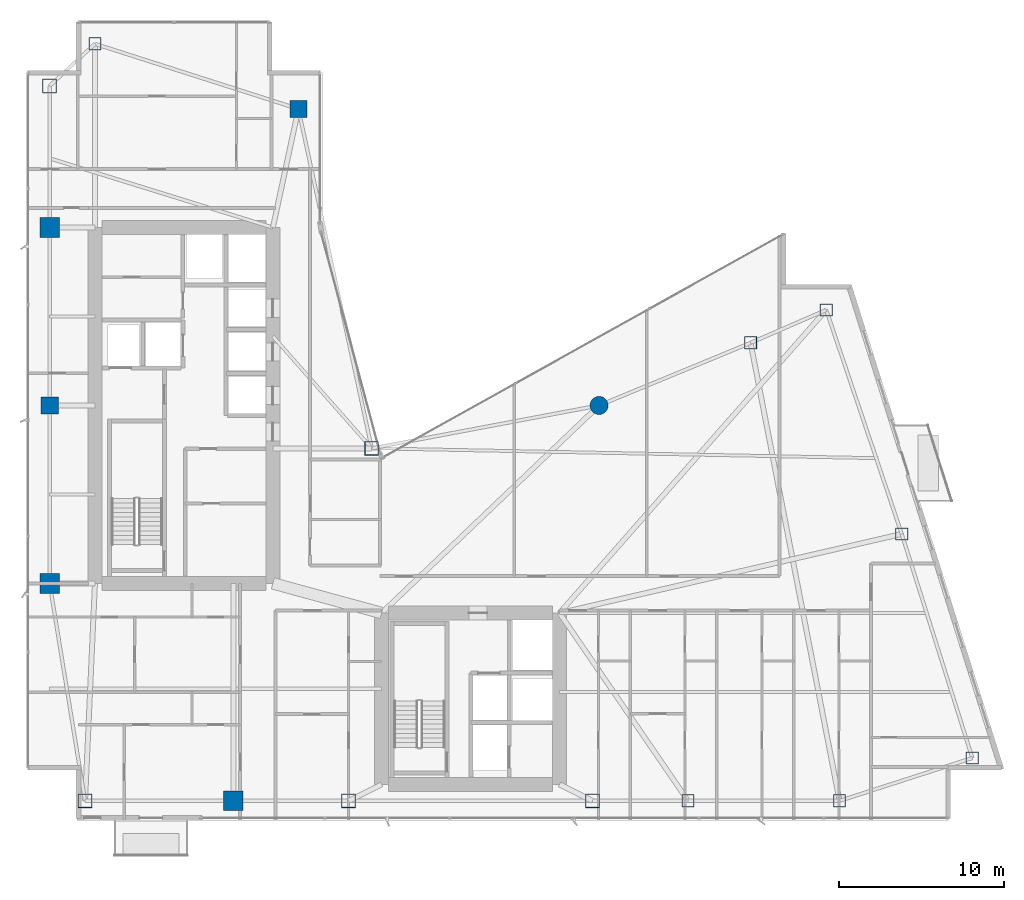
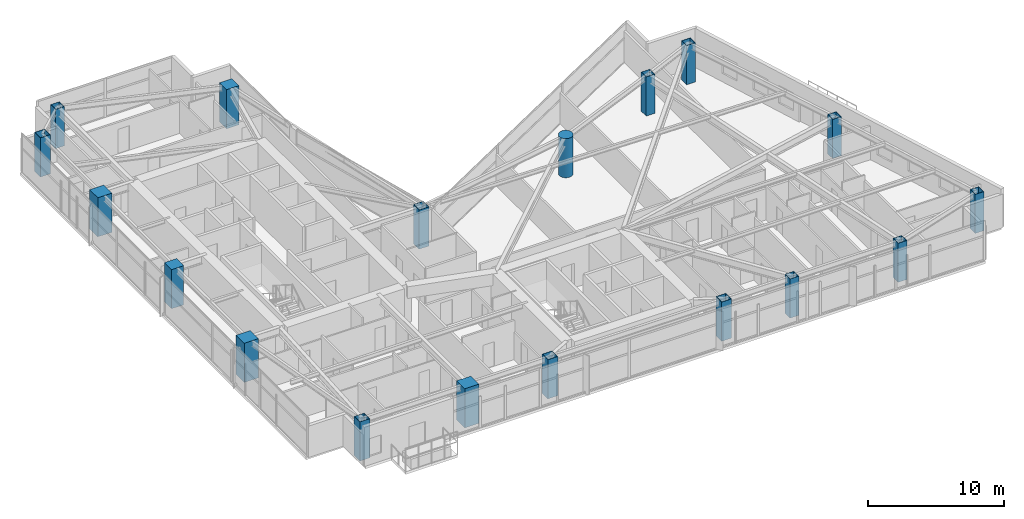
# One storey, part 1 of 28: 18 columns.
"""IFC4 building model written with IfcOpenShell, lengths in metres."""

from ifc_helpers import new_model, si_unit, direction, frame, origin, origin_2d, place, context, subcontext, project, spatial, rectangle, hollow_rectangle, circle, extrude, material, material_profile, profile_set, type_object, element, save


model = new_model("IFC4")

# Units and contexts
model_context = context("Model", 3, precision=1e-05, world=origin(), true_north=direction((0.0, 1.0)))
body_context = subcontext(model_context, "Body", "Model", "MODEL_VIEW")
ifc_project = project(units=[si_unit("LENGTHUNIT", "METRE"), si_unit("AREAUNIT", "SQUARE_METRE"), si_unit("VOLUMEUNIT", "CUBIC_METRE"), si_unit("PLANEANGLEUNIT", "RADIAN"), si_unit("MASSUNIT", "GRAM", prefix="KILO")], contexts=[model_context])

# Site, building, storey
site_placement = place(None, origin())
site = spatial("IfcSite", under=ifc_project, at=site_placement, CompositionType="ELEMENT")
building_placement = place(site_placement, origin())
building = spatial("IfcBuilding", under=site, at=building_placement, Name="Calvorn Quay Hotel", CompositionType="ELEMENT")
storey_placement = place(building_placement, frame((0.0, 0.0, 135.39990234375)))
storey = spatial("IfcBuildingStorey", under=building, at=storey_placement, Name="L33", CompositionType="ELEMENT", Elevation=135.39990234375)

# Columns
ifc_material_1 = material(Name="Concrete C50", Category="concrete")
ifc_material_profile_1 = material_profile(ifc_material_1, rectangle(XDim=1.050048828125, YDim=1.050048828125, at=origin_2d()), Name="RC1050x1050")
ifc_profile_set_1 = profile_set([ifc_material_profile_1], Name="Concrete C50")
column_type_1 = type_object("IfcColumnType", Name="COL-RC-1050", PredefinedType="COLUMN", material=ifc_profile_set_1)
for number, where, z_axis, x_axis, name in (
    (1, (1.449951171875, 27.60009765625, 0.0), (0.0, 0.0, 1.0), (1.0, 0.0, 0.0), "Column C-W3 (L33)"),
    (2, (16.550048828125, 45.60009765625, 0.0), (0.0, 0.0, 1.0), (1.0, 0.0, 0.0), "Column C-IC1 (L33)"),
):
    element("IfcColumn", number, at=place(storey_placement, frame(where, z_axis=z_axis, x_axis=x_axis)), inside=storey, type_object=column_type_1, Name=name, PredefinedType="COLUMN", context=body_context, shape_type="SweptSolid", body=[
        extrude(rectangle(XDim=1.050048828125, YDim=1.050048828125, at=origin_2d()), origin(), (0.0, 0.0, 1.0), 3.52001953125),
    ])
ifc_material_2 = material(Name="Concrete C50", Category="concrete")
ifc_material_profile_2 = material_profile(ifc_material_2, rectangle(XDim=1.199951171875, YDim=1.199951171875, at=origin_2d()), Name="RC1200x1200")
ifc_profile_set_2 = profile_set([ifc_material_profile_2], Name="Concrete C50")
column_type_2 = type_object("IfcColumnType", Name="COL-RC-1200", PredefinedType="COLUMN", material=ifc_profile_set_2)
for number, where, z_axis, x_axis, name in (
    (3, (1.449951171875, 16.800048828125, 0.0), (0.0, 0.0, 1.0), (1.0, 0.0, 0.0), "Column C-W2 (L33)"),
    (4, (1.449951171875, 38.39990234375, 0.0), (0.0, 0.0, 1.0), (1.0, 0.0, 0.0), "Column C-W4 (L33)"),
    (5, (12.60009765625, 3.60009765625, 0.0), (0.0, 0.0, 1.0), (1.0, 0.0, 0.0), "Column C-S1 (L33)"),
):
    element("IfcColumn", number, at=place(storey_placement, frame(where, z_axis=z_axis, x_axis=x_axis)), inside=storey, type_object=column_type_2, Name=name, PredefinedType="COLUMN", context=body_context, shape_type="SweptSolid", body=[
        extrude(rectangle(XDim=1.199951171875, YDim=1.199951171875, at=origin_2d()), origin(), (0.0, 0.0, 1.0), 3.52001953125),
    ])
ifc_material_3 = material(Name="Concrete C50", Category="concrete")
ifc_material_profile_3 = material_profile(ifc_material_3, circle(Radius=0.550048828125, at=origin_2d()), Name="RCD1100")
ifc_profile_set_3 = profile_set([ifc_material_profile_3], Name="Concrete C50")
column_type_3 = type_object("IfcColumnType", Name="COL-RC-D1100", PredefinedType="COLUMN", material=ifc_profile_set_3)
column_placement = place(storey_placement, frame((34.800048828125, 27.60009765625, 0.0), z_axis=(0.0, 0.0, 1.0), x_axis=(1.0, 0.0, 0.0)))
element("IfcColumn", 6, at=column_placement, inside=storey, type_object=column_type_3, Name="Column C-NC1 (L33)", PredefinedType="COLUMN", context=body_context, shape_type="SweptSolid", body=[
    extrude(circle(Radius=0.550048828125, at=origin_2d()), origin(), (0.0, 0.0, 1.0), 3.52001953125),
])
ifc_material_4 = material(Name="Steel Q390GJC", Category="steel")
ifc_material_profile_4 = material_profile(ifc_material_4, hollow_rectangle(XDim=0.85009765625, YDim=0.85009765625, WallThickness=0.035888671875, at=origin_2d()), Name="BOX850x850x36")
ifc_profile_set_4 = profile_set([ifc_material_profile_4], Name="Steel Q390GJC")
column_type_4 = type_object("IfcColumnType", Name="COL-STL-Z2", PredefinedType="COLUMN", material=ifc_profile_set_4)
for number, where, z_axis, x_axis, name in (
    (7, (3.60009765625, 3.60009765625, 0.0), (0.0, 0.0, 1.0), (1.0, 0.0, 0.0), "Column C-W1 (L33)"),
    (8, (1.449951171875, 47.0, 0.0), (0.0, 0.0, 1.0), (1.0, 0.0, 0.0), "Column C-W5 (L33)"),
    (9, (21.0, 25.0, 0.0), (0.0, 0.0, 1.0), (1.0, 0.0, 0.0), "Column C-IC2 (L33)"),
    (10, (19.60009765625, 3.60009765625, 0.0), (0.0, 0.0, 1.0), (1.0, 0.0, 0.0), "Column C-S2 (L33)"),
    (11, (34.39990234375, 3.60009765625, 0.0), (0.0, 0.0, 1.0), (1.0, 0.0, 0.0), "Column C-S3 (L33)"),
):
    element("IfcColumn", number, at=place(storey_placement, frame(where, z_axis=z_axis, x_axis=x_axis)), inside=storey, type_object=column_type_4, Name=name, PredefinedType="COLUMN", context=body_context, shape_type="SweptSolid", body=[
        extrude(hollow_rectangle(XDim=0.85009765625, YDim=0.85009765625, WallThickness=0.035888671875, at=origin_2d()), origin(), (0.0, 0.0, 1.0), 3.52001953125),
    ])
ifc_material_5 = material(Name="Steel Q390GJC", Category="steel")
ifc_material_profile_5 = material_profile(ifc_material_5, hollow_rectangle(XDim=0.75, YDim=0.75, WallThickness=0.031982421875, at=origin_2d()), Name="BOX750x750x32")
ifc_profile_set_5 = profile_set([ifc_material_profile_5], Name="Steel Q390GJC")
column_type_5 = type_object("IfcColumnType", Name="COL-STL-Z3", PredefinedType="COLUMN", material=ifc_profile_set_5)
for number, where, z_axis, x_axis, name in (
    (12, (4.199951171875, 49.550048828125, 0.0), (0.0, 0.0, 1.0), (1.0, 0.0, 0.0), "Column C-NW1 (L33)"),
    (13, (40.199951171875, 3.60009765625, 0.0), (0.0, 0.0, 1.0), (1.0, 0.0, 0.0), "Column C-S4 (L33)"),
    (14, (49.39990234375, 3.60009765625, 0.0), (0.0, 0.0, 1.0), (1.0, 0.0, 0.0), "Column C-S5 (L33)"),
    (15, (44.0, 31.39990234375, 0.0), (0.0, 0.0, 1.0), (1.0, 0.0, 0.0), "Column C-NC2 (L33)"),
    (16, (57.4609375, 6.199951171875, 0.0), (0.0, 0.0, 1.0), (1.0, 0.0, 0.0), "Column C-ET1 (L33)"),
    (17, (53.176025390625, 19.800048828125, 0.0), (0.0, 0.0, 1.0), (1.0, 0.0, 0.0), "Column C-ET2 (L33)"),
    (18, (48.591064453125, 33.39990234375, 0.0), (0.0, 0.0, 1.0), (1.0, 0.0, 0.0), "Column C-ET3 (L33)"),
):
    element("IfcColumn", number, at=place(storey_placement, frame(where, z_axis=z_axis, x_axis=x_axis)), inside=storey, type_object=column_type_5, Name=name, PredefinedType="COLUMN", context=body_context, shape_type="SweptSolid", body=[
        extrude(hollow_rectangle(XDim=0.75, YDim=0.75, WallThickness=0.031982421875, at=origin_2d()), origin(), (0.0, 0.0, 1.0), 3.52001953125),
    ])

save(model, "model.ifc")
